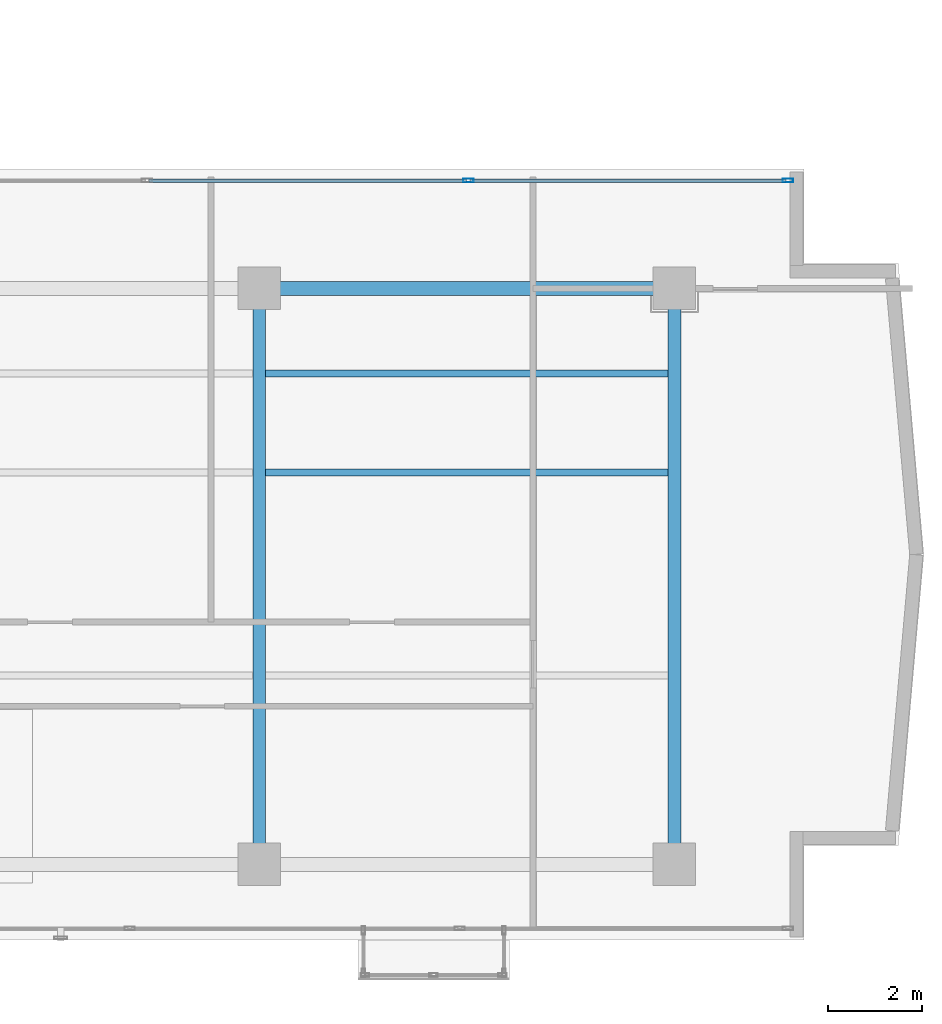
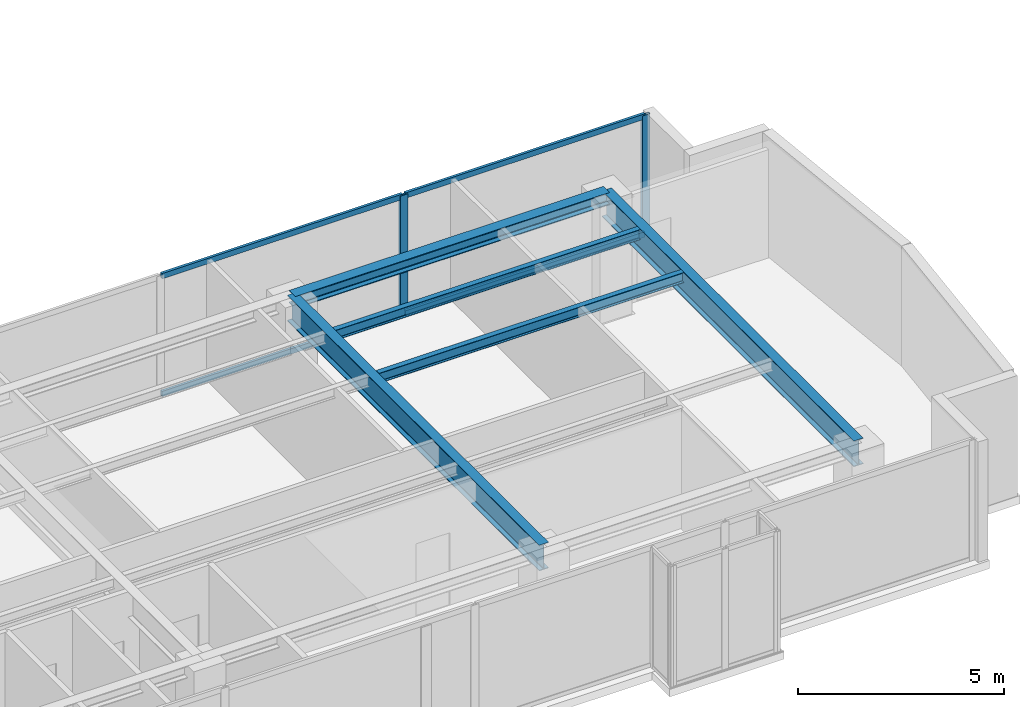
# One storey, part 11 of 23: 6 members, 5 beams, 1 element without a shape of its own.
"""IFC4 building model written with IfcOpenShell, lengths in metres."""

import ifcopenshell
import ifcopenshell.guid

model = None  # the IFC model being written
_history = None  # IfcOwnerHistory: only IFC2X3 demands one
_inside = {}  # id of a spatial element -> (the spatial element, [elements in it])
_under = {}  # id of a project, library or spatial element -> (it, [spatial elements below it])
_declared = {}  # id of a project -> (the project, [libraries it declares])
_typed = {}  # id of a type object -> (the type object, [elements of that type])
_made_of = {}  # id of a material, layer set ... -> (it, [elements and type objects made of it])


def new_model(schema):
    """Start an empty IFC model of exactly this schema.

    Asked for "IFC4X3", IfcOpenShell would pick the latest addendum, in which some entities
    have other attributes; the version numbers below select the first issue.
    IFC2X3 requires an IfcOwnerHistory on every rooted entity: one is made here for all.
    """
    global model, _history
    if schema == "IFC4X3":
        model = ifcopenshell.file(schema_version=(4, 3, 0, 0))
    else:
        model = ifcopenshell.file(schema=schema)
    _inside.clear()
    _under.clear()
    _declared.clear()
    _typed.clear()
    _made_of.clear()
    _history = None
    if model.schema == "IFC2X3":
        org = make("IfcOrganization", Name="unknown")
        user = make(
            "IfcPersonAndOrganization",
            ThePerson=make("IfcPerson", FamilyName="unknown"),
            TheOrganization=org,
        )
        app = make(
            "IfcApplication",
            ApplicationDeveloper=org,
            Version="unknown",
            ApplicationFullName="unknown",
            ApplicationIdentifier="unknown",
        )
        _history = make(
            "IfcOwnerHistory",
            OwningUser=user,
            OwningApplication=app,
            ChangeAction="ADDED",
            CreationDate=0,
        )
    return model


def make(cls, **values):
    """One entity of the class cls with the attributes given. An attribute that is None is left unset."""
    return model.create_entity(
        cls, **{name: value for name, value in values.items() if value is not None}
    )


def rooted(cls, **values):
    """An entity with a GlobalId (a new one), such as an element, a storey or a relation."""
    return make(cls, GlobalId=ifcopenshell.guid.new(), OwnerHistory=_history, **values)


def si_unit(unit_type, name, prefix=None):
    """IfcSIUnit, for example si_unit("LENGTHUNIT", "METRE", prefix="MILLI")."""
    return make("IfcSIUnit", UnitType=unit_type, Prefix=prefix, Name=name)


def assignment(units):
    """IfcUnitAssignment: the units of a project."""
    return None if units is None else make("IfcUnitAssignment", Units=units)


def point(xyz):
    """IfcCartesianPoint."""
    return None if xyz is None else make("IfcCartesianPoint", Coordinates=xyz)


def direction(xyz):
    """IfcDirection."""
    return None if xyz is None else make("IfcDirection", DirectionRatios=xyz)


def frame(location, z_axis=None, x_axis=None):
    """IfcAxis2Placement3D, a coordinate frame: its origin and axes. An axis left out is left unset."""
    return make(
        "IfcAxis2Placement3D",
        Location=point(location),
        Axis=direction(z_axis),
        RefDirection=direction(x_axis),
    )


def frame_2d(location, x_axis=None):
    """IfcAxis2Placement2D, a coordinate frame in the plane: its origin and x axis."""
    return make(
        "IfcAxis2Placement2D", Location=point(location), RefDirection=direction(x_axis)
    )


def origin():
    """The frame at (0, 0, 0) with its axes left unset."""
    return frame((0.0, 0.0, 0.0))


def origin_with_axes():
    """The frame at (0, 0, 0) with the z axis (0, 0, 1) and the x axis (1, 0, 0) written out."""
    return frame((0.0, 0.0, 0.0), z_axis=(0.0, 0.0, 1.0), x_axis=(1.0, 0.0, 0.0))


def origin_2d():
    """The frame at (0, 0) in the plane with its x axis left unset."""
    return frame_2d((0.0, 0.0))


def place(relative_to, where):
    """IfcLocalPlacement: puts the frame where relative to a parent placement (None: the world)."""
    return make(
        "IfcLocalPlacement", PlacementRelTo=relative_to, RelativePlacement=where
    )


def context(
    kind, dimensions, precision=None, world=None, true_north=None, identifier=None
):
    """IfcGeometricRepresentationContext, for example the 3D "Model" context."""
    return make(
        "IfcGeometricRepresentationContext",
        ContextIdentifier=identifier,
        ContextType=kind,
        CoordinateSpaceDimension=dimensions,
        Precision=precision,
        WorldCoordinateSystem=world,
        TrueNorth=true_north,
    )


def subcontext(parent, identifier, kind, view, scale=None):
    """IfcGeometricRepresentationSubContext, for example "Body" below "Model"."""
    return make(
        "IfcGeometricRepresentationSubContext",
        ContextIdentifier=identifier,
        ContextType=kind,
        ParentContext=parent,
        TargetScale=scale,
        TargetView=view,
    )


def project(units=None, contexts=None):
    """IfcProject with its units and contexts."""
    return rooted(
        "IfcProject",
        Name="project",
        RepresentationContexts=contexts,
        UnitsInContext=assignment(units),
    )


def spatial(cls, under=None, at=None, **own):
    """A site, building, storey or space (cls), placed at a placement, below another one or the project."""
    s = rooted(cls, ObjectPlacement=at, **own)
    if under is not None:
        _under.setdefault(under.id(), (under, []))[1].append(s)
    return s


def profile(cls, at=None, kind="AREA", **sizes):
    """A parametric profile (cls). Its sizes go by their IFC names, for example OverallWidth=200.0."""
    return make(cls, ProfileType=kind, Position=at, **sizes)


def hollow_rectangle(**sizes):
    """IfcRectangleHollowProfileDef."""
    return profile("IfcRectangleHollowProfileDef", **sizes)


def i_section(**sizes):
    """IfcIShapeProfileDef."""
    return profile("IfcIShapeProfileDef", **sizes)


def extrude(swept, where, along, depth):
    """IfcExtrudedAreaSolid: the profile swept, set in the frame where, extruded along a direction by depth."""
    return make(
        "IfcExtrudedAreaSolid",
        SweptArea=swept,
        Position=where,
        ExtrudedDirection=direction(along),
        Depth=depth,
    )


def shape(context_of_items, identifier, shape_type, items):
    """IfcShapeRepresentation: the items that make up one representation, for example the "Body"."""
    return make(
        "IfcShapeRepresentation",
        ContextOfItems=context_of_items,
        RepresentationIdentifier=identifier,
        RepresentationType=shape_type,
        Items=items,
    )


def source(mapping_origin, context_of_items, identifier, shape_type, items):
    """IfcRepresentationMap: a shape defined once, which mapped items show again and again."""
    return make(
        "IfcRepresentationMap",
        MappingOrigin=mapping_origin,
        MappedRepresentation=shape(context_of_items, identifier, shape_type, items),
    )


def transform(
    local_origin,
    x_axis=None,
    y_axis=None,
    z_axis=None,
    scale=None,
    scale2=None,
    scale3=None,
    uniform=True,
):
    """IfcCartesianTransformationOperator3D, or its non-uniform kind. x_axis, y_axis, z_axis: its Axis1, 2, 3."""
    if uniform:
        return make(
            "IfcCartesianTransformationOperator3D",
            Axis1=direction(x_axis),
            Axis2=direction(y_axis),
            LocalOrigin=point(local_origin),
            Scale=scale,
            Axis3=direction(z_axis),
        )
    return make(
        "IfcCartesianTransformationOperator3DnonUniform",
        Axis1=direction(x_axis),
        Axis2=direction(y_axis),
        LocalOrigin=point(local_origin),
        Scale=scale,
        Axis3=direction(z_axis),
        Scale2=scale2,
        Scale3=scale3,
    )


def mapped(mapping_source, mapping_target):
    """IfcMappedItem: shows the shape of a source again, moved by a transform."""
    return make(
        "IfcMappedItem", MappingSource=mapping_source, MappingTarget=mapping_target
    )


def material(Name=None, Category=None):
    """IfcMaterial."""
    return make("IfcMaterial", Name=Name, Category=Category)


def layer(
    of_material, thickness, ventilated=None, Name=None, Category=None, Priority=None
):
    """IfcMaterialLayer: one layer of a wall or slab, of a material (None: an air gap)."""
    return make(
        "IfcMaterialLayer",
        Material=of_material,
        LayerThickness=thickness,
        IsVentilated=ventilated,
        Name=Name,
        Category=Category,
        Priority=Priority,
    )


def layer_set(layers, Name=None):
    """IfcMaterialLayerSet."""
    return make("IfcMaterialLayerSet", MaterialLayers=layers, LayerSetName=Name)


def material_profile(
    of_material, cross_section, Name=None, Category=None, Priority=None
):
    """IfcMaterialProfile: a cross section and its material."""
    return make(
        "IfcMaterialProfile",
        Name=Name,
        Material=of_material,
        Profile=cross_section,
        Priority=Priority,
        Category=Category,
    )


def profile_set(profiles, Name=None, composite=None):
    """IfcMaterialProfileSet."""
    return make(
        "IfcMaterialProfileSet",
        Name=Name,
        MaterialProfiles=profiles,
        CompositeProfile=composite,
    )


def made_of(thing, what):
    """Note that an element or type object is made of a material, layer set ...; save() writes the relation."""
    if what is not None:
        _made_of.setdefault(what.id(), (what, []))[1].append(thing)
    return thing


def type_object(cls, material=None, **own):
    """A type object (cls), such as IfcWallType, which elements share."""
    return made_of(rooted(cls, **own), material)


def element(
    cls,
    number,
    at=None,
    inside=None,
    cuts=None,
    type_object=None,
    material=None,
    context=None,
    identifier="Body",
    shape_type=None,
    held_by="IfcProductDefinitionShape",
    body=None,
    shapes=None,
    **own,
):
    """One element of the class cls, such as IfcWall. Its Tag is "e" and its number.

    at: its placement. inside: the storey or other place that contains it. cuts: it is an
    opening in that element (IfcRelVoidsElement). A single representation is given by context,
    identifier, shape_type and body (its items); several are given by shapes. held_by: the class
    of the entity that holds the representations. save() writes the other relations.
    """
    e = rooted(cls, Tag="e%d" % number, ObjectPlacement=at, **own)
    if body is not None:
        shapes = [shape(context, identifier, shape_type, body)]
    if shapes is not None:
        e.Representation = make(held_by, Representations=shapes)
    if inside is not None:
        _inside.setdefault(inside.id(), (inside, []))[1].append(e)
    if cuts is not None:
        rooted(
            "IfcRelVoidsElement", RelatingBuildingElement=cuts, RelatedOpeningElement=e
        )
    if type_object is not None:
        _typed.setdefault(type_object.id(), (type_object, []))[1].append(e)
    return made_of(e, material)


def aggregate(whole, parts):
    """IfcRelAggregates: a whole, such as a stair, and the parts it consists of."""
    return rooted("IfcRelAggregates", RelatingObject=whole, RelatedObjects=parts)


def save(model, path):
    """Write the relations noted so far, then the file.

    IfcRelAggregates (storeys below a building ...), IfcRelContainedInSpatialStructure (elements
    in a storey), IfcRelDefinesByType, IfcRelAssociatesMaterial and IfcRelDeclares: one each for
    every whole, place, type object, material and project.
    """
    for whole, parts in _under.values():
        aggregate(whole, parts)
    for where, things in _inside.values():
        rooted(
            "IfcRelContainedInSpatialStructure",
            RelatedElements=things,
            RelatingStructure=where,
        )
    for kind, things in _typed.values():
        rooted("IfcRelDefinesByType", RelatedObjects=things, RelatingType=kind)
    for what, things in _made_of.values():
        rooted("IfcRelAssociatesMaterial", RelatedObjects=things, RelatingMaterial=what)
    for by, libraries in _declared.values():
        rooted("IfcRelDeclares", RelatingContext=by, RelatedDefinitions=libraries)
    model.write(path)


model = new_model("IFC4")

# Units and contexts
model_context = context("Model", 3, precision=1e-05, world=origin(), true_north=direction((0.0, 1.0)))
body_context = subcontext(model_context, "Body", "Model", "MODEL_VIEW")
ifc_project = project(units=[si_unit("LENGTHUNIT", "METRE"), si_unit("AREAUNIT", "SQUARE_METRE"), si_unit("VOLUMEUNIT", "CUBIC_METRE"), si_unit("PLANEANGLEUNIT", "RADIAN"), si_unit("MASSUNIT", "GRAM", prefix="KILO")], contexts=[model_context])

# Site, building, storey
site_placement = place(None, origin())
site = spatial("IfcSite", under=ifc_project, at=site_placement, CompositionType="ELEMENT")
building_placement = place(site_placement, origin())
building = spatial("IfcBuilding", under=site, at=building_placement, Name="Kolvaren Waterfront Exchange", CompositionType="ELEMENT")
storey_placement = place(building_placement, frame((0.0, 0.0, 289.39990234375)))
storey = spatial("IfcBuildingStorey", under=building, at=storey_placement, Name="L74", CompositionType="ELEMENT", Elevation=289.39990234375)

# Beams
ifc_material_1 = material(Name="Steel S355", Category="steel")
ifc_material_profile_1 = material_profile(ifc_material_1, i_section(OverallWidth=0.300048828125, OverallDepth=0.360107421875, WebThickness=0.012451171875, FlangeThickness=0.0224609375, FilletRadius=0.027099609375, at=origin_2d()), Name="HEB360")
ifc_profile_set_1 = profile_set([ifc_material_profile_1], Name="Steel S355")
beam_type_1 = type_object("IfcBeamType", Name="STR-BM-HEB360", PredefinedType="SPANDREL", material=ifc_profile_set_1)
beam_placement = place(storey_placement, frame((36.800048828125, 17.39990234375, 3.380126953125), z_axis=(1.0, 0.0, 0.0), x_axis=(0.0, 1.0, 0.0)))
element("IfcBeam", 1, at=beam_placement, inside=storey, type_object=beam_type_1, Name="L74 east-arm spandrel N3", PredefinedType="SPANDREL", context=body_context, shape_type="SweptSolid", body=[
    extrude(i_section(OverallWidth=0.300048828125, OverallDepth=0.360107421875, WebThickness=0.012451171875, FlangeThickness=0.0224609375, FilletRadius=0.027099609375, at=origin_2d()), origin(), (0.0, 0.0, 1.0), 8.800048828125),
])
ifc_material_profile_2 = material_profile(ifc_material_1, i_section(OverallWidth=0.14990234375, OverallDepth=0.300048828125, WebThickness=0.007080078125, FlangeThickness=0.0107421875, FilletRadius=0.014892578125, at=origin_2d()), Name="IPE300")
ifc_profile_set_2 = profile_set([ifc_material_profile_2], Name="Steel S355")
beam_type_2 = type_object("IfcBeamType", Name="STR-BM-IPE300", PredefinedType="JOIST", material=ifc_profile_set_2)
for number, where, z_axis, x_axis, name in (
    (2, (36.935546875, 13.5, 3.41015625), (1.0, 0.0, 0.0), (0.0, 1.0, 0.0), "L74 east-arm composite joist 3A"),
    (3, (36.935546875, 15.60009765625, 3.41015625), (1.0, 0.0, 0.0), (0.0, 1.0, 0.0), "L74 east-arm composite joist 3C"),
):
    element("IfcBeam", number, at=place(storey_placement, frame(where, z_axis=z_axis, x_axis=x_axis)), inside=storey, type_object=beam_type_2, Name=name, PredefinedType="JOIST", context=body_context, shape_type="SweptSolid", body=[
        extrude(i_section(OverallWidth=0.14990234375, OverallDepth=0.300048828125, WebThickness=0.007080078125, FlangeThickness=0.0107421875, FilletRadius=0.014892578125, at=origin_2d()), origin(), (0.0, 0.0, 1.0), 8.529052734375),
    ])
ifc_material_profile_3 = material_profile(ifc_material_1, i_section(OverallWidth=0.26708984375, OverallDepth=0.761962890625, WebThickness=0.014404296875, FlangeThickness=0.021484375, FilletRadius=0.01708984375, at=origin_2d()), Name="IPE750x173")
ifc_profile_set_3 = profile_set([ifc_material_profile_3], Name="Steel S355")
beam_type_3 = type_object("IfcBeamType", Name="STR-BM-IPE750", PredefinedType="BEAM", material=ifc_profile_set_3)
for number, where, z_axis, x_axis, name in (
    (4, (36.800048828125, 5.199951171875, 3.17919921875), (0.0, 1.0, 0.0), (-1.0, 0.0, 0.0), "L74 east-arm transverse girder X36"),
    (5, (45.60009765625, 5.199951171875, 3.17919921875), (0.0, 1.0, 0.0), (-1.0, 0.0, 0.0), "L74 east-arm transverse girder X45"),
):
    element("IfcBeam", number, at=place(storey_placement, frame(where, z_axis=z_axis, x_axis=x_axis)), inside=storey, type_object=beam_type_3, Name=name, PredefinedType="BEAM", context=body_context, shape_type="SweptSolid", body=[
        extrude(i_section(OverallWidth=0.26708984375, OverallDepth=0.761962890625, WebThickness=0.014404296875, FlangeThickness=0.021484375, FilletRadius=0.01708984375, at=origin_2d()), origin(), (0.0, 0.0, 1.0), 12.199951171875),
    ])

# Curtain wall, members
ifc_material_2 = material(Name="Anodised bronze aluminium 6063-T6", Category="aluminium")
ifc_layer = layer(ifc_material_2, 0.219970703125, Name="Anodised bronze aluminium 6063-T6")
ifc_layer_set = layer_set([ifc_layer], Name="Anodised bronze aluminium 6063-T6")
curtain_wall_type = type_object("IfcCurtainWallType", Name="ARC-CW-SYS1", PredefinedType="USERDEFINED", material=ifc_layer_set)
curtain_wall_placement = place(storey_placement, origin())
curtain_wall = element("IfcCurtainWall", 6, at=curtain_wall_placement, inside=storey, type_object=curtain_wall_type, Name="L74 stick curtain wall CW1 (CW-L74-EN)", ObjectType="STICK CURTAIN WALL", PredefinedType="USERDEFINED")
ifc_material_3 = material(Name="Anodised aluminium 6063-T6", Category="aluminium")
ifc_material_profile_4 = material_profile(ifc_material_3, hollow_rectangle(XDim=0.080078125, YDim=0.219970703125, WallThickness=0.0048828125, at=origin_2d()), Name="ALU-MUL-220x80x5")
ifc_profile_set_4 = profile_set([ifc_material_profile_4], Name="Anodised aluminium 6063-T6")
member_type_1 = type_object("IfcMemberType", Name="ARC-CWM-220", PredefinedType="MULLION", material=ifc_profile_set_4)
shared_shape_1 = source(origin_with_axes(), body_context, "Body", "SweptSolid", [
    extrude(hollow_rectangle(XDim=0.080078125, YDim=0.219970703125, WallThickness=0.0048828125, at=origin_2d()), origin(), (0.0, 0.0, 1.0), 3.56005859375),
])
member_1_placement = place(storey_placement, frame((41.2333984375, 19.686279296875, 0.0), z_axis=(0.0, 0.0, 1.0), x_axis=(0.0, 1.0, 0.0)))
member_1 = element("IfcMember", 7, at=member_1_placement, type_object=member_type_1, Name="CW1 mullion 3", PredefinedType="MULLION", context=body_context, shape_type="MappedRepresentation", body=[
    mapped(shared_shape_1, transform((0.0, 0.0, 0.0), x_axis=(1.0, 0.0, 0.0), y_axis=(0.0, 1.0, 0.0), z_axis=(0.0, 0.0, 1.0), scale=1.0)),
])
member_2_placement = place(storey_placement, frame((48.002197265625, 19.686279296875, 0.0), z_axis=(0.0, 0.0, 1.0), x_axis=(0.0, 1.0, 0.0)))
member_2 = element("IfcMember", 8, at=member_2_placement, type_object=member_type_1, Name="CW1 mullion 4", PredefinedType="MULLION", context=body_context, shape_type="MappedRepresentation", body=[
    mapped(shared_shape_1, transform((0.0, 0.0, 0.0), x_axis=(1.0, 0.0, 0.0), y_axis=(0.0, 1.0, 0.0), z_axis=(0.0, 0.0, 1.0), scale=1.0)),
])
ifc_material_profile_5 = material_profile(ifc_material_3, hollow_rectangle(XDim=0.074951171875, YDim=0.159912109375, WallThickness=0.00439453125, at=origin_2d()), Name="ALU-TRN-160x75x4.5")
ifc_profile_set_5 = profile_set([ifc_material_profile_5], Name="Anodised aluminium 6063-T6")
member_type_2 = type_object("IfcMemberType", Name="ARC-CWT-160", PredefinedType="USERDEFINED", material=ifc_profile_set_5)
shared_shape_2 = source(origin_with_axes(), body_context, "Body", "SweptSolid", [
    extrude(hollow_rectangle(XDim=0.074951171875, YDim=0.159912109375, WallThickness=0.00439453125, at=origin_2d()), origin(), (0.0, 0.0, 1.0), 6.688720703125),
])
member_3_placement = place(storey_placement, frame((41.2734375, 19.686279296875, 0.03759765625), z_axis=(1.0, 0.0, 0.0), x_axis=(0.0, 1.0, 0.0)))
member_3 = element("IfcMember", 9, at=member_3_placement, type_object=member_type_2, Name="CW1 transom 3.1", ObjectType="TRANSOM", PredefinedType="USERDEFINED", context=body_context, shape_type="MappedRepresentation", body=[
    mapped(shared_shape_2, transform((0.0, 0.0, 0.0), x_axis=(1.0, 0.0, 0.0), y_axis=(0.0, 1.0, 0.0), z_axis=(0.0, 0.0, 1.0), scale=1.0)),
])
member_4_placement = place(storey_placement, frame((41.2734375, 19.686279296875, 3.522705078125), z_axis=(1.0, 0.0, 0.0), x_axis=(0.0, 1.0, 0.0)))
member_4 = element("IfcMember", 10, at=member_4_placement, type_object=member_type_2, Name="CW1 transom 3.2", ObjectType="TRANSOM", PredefinedType="USERDEFINED", context=body_context, shape_type="MappedRepresentation", body=[
    mapped(shared_shape_2, transform((0.0, 0.0, 0.0), x_axis=(1.0, 0.0, 0.0), y_axis=(0.0, 1.0, 0.0), z_axis=(0.0, 0.0, 1.0), scale=1.0)),
])
shared_shape_3 = source(origin_with_axes(), body_context, "Body", "SweptSolid", [
    extrude(hollow_rectangle(XDim=0.074951171875, YDim=0.159912109375, WallThickness=0.00439453125, at=origin_2d()), origin(), (0.0, 0.0, 1.0), 6.728759765625),
])
member_5_placement = place(storey_placement, frame((34.46484375, 19.686279296875, 0.03759765625), z_axis=(1.0, 0.0, 0.0), x_axis=(0.0, 1.0, 0.0)))
member_5 = element("IfcMember", 11, at=member_5_placement, type_object=member_type_2, Name="CW1 transom 2.1", ObjectType="TRANSOM", PredefinedType="USERDEFINED", context=body_context, shape_type="MappedRepresentation", body=[
    mapped(shared_shape_3, transform((0.0, 0.0, 0.0), x_axis=(1.0, 0.0, 0.0), y_axis=(0.0, 1.0, 0.0), z_axis=(0.0, 0.0, 1.0), scale=1.0)),
])
member_6_placement = place(storey_placement, frame((34.46484375, 19.686279296875, 3.522705078125), z_axis=(1.0, 0.0, 0.0), x_axis=(0.0, 1.0, 0.0)))
member_6 = element("IfcMember", 12, at=member_6_placement, type_object=member_type_2, Name="CW1 transom 2.2", ObjectType="TRANSOM", PredefinedType="USERDEFINED", context=body_context, shape_type="MappedRepresentation", body=[
    mapped(shared_shape_3, transform((0.0, 0.0, 0.0), x_axis=(1.0, 0.0, 0.0), y_axis=(0.0, 1.0, 0.0), z_axis=(0.0, 0.0, 1.0), scale=1.0)),
])
aggregate(curtain_wall, [member_1, member_2, member_5, member_6, member_3, member_4])

save(model, "model.ifc")
